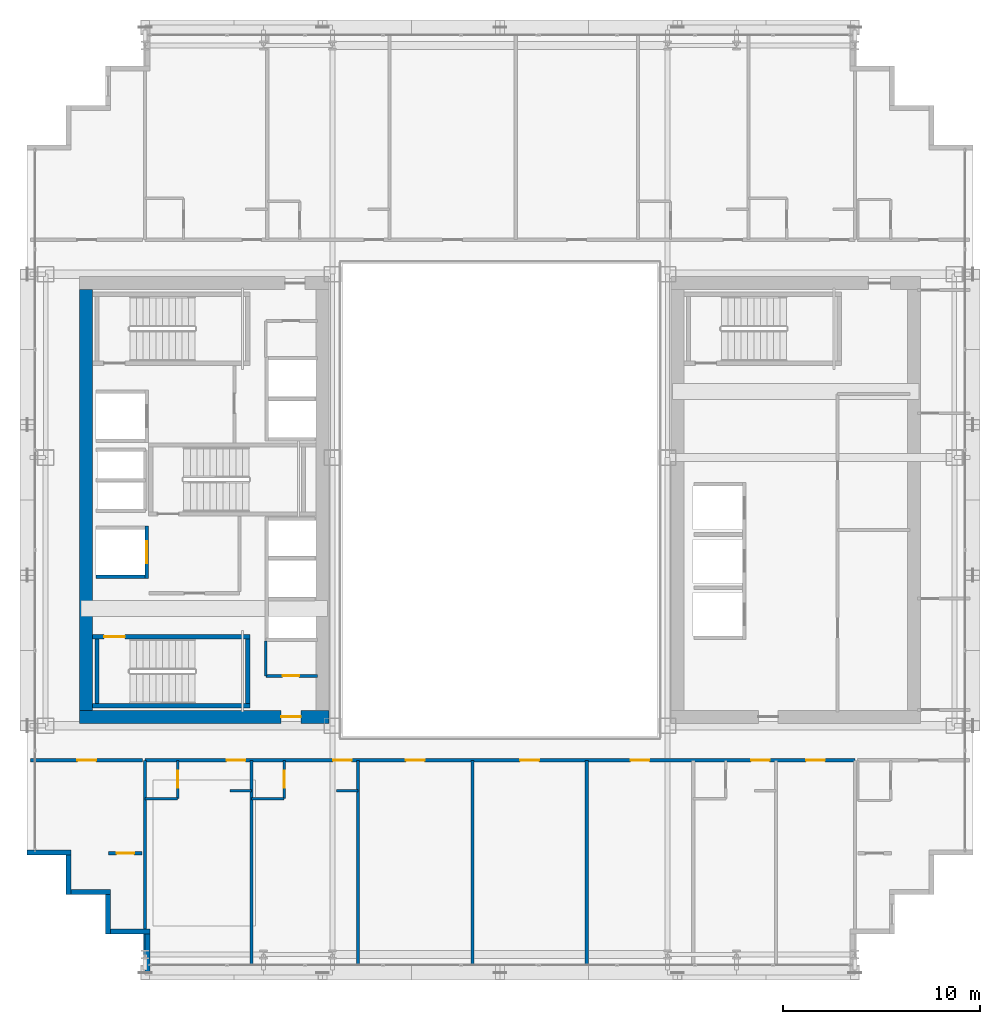
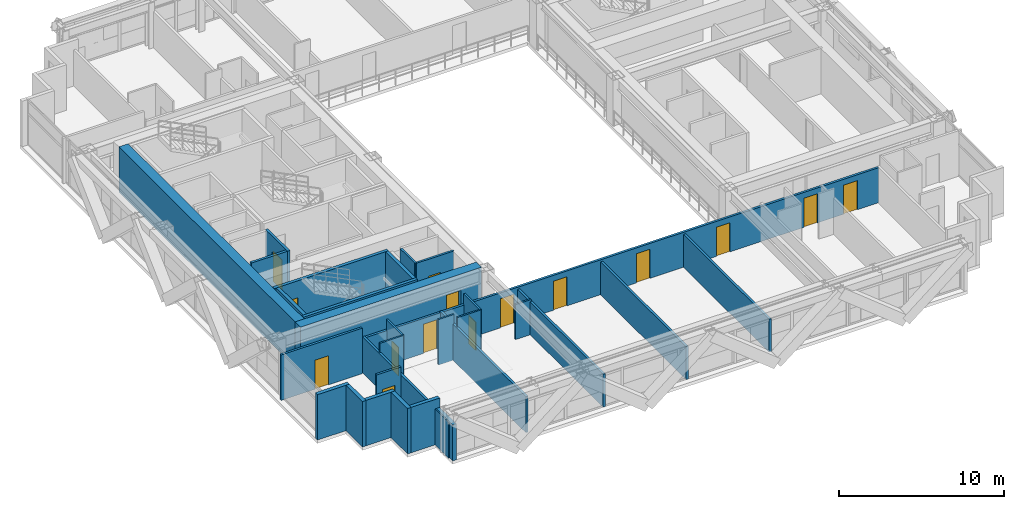
# One storey, part 27 of 35: 30 walls, 15 doors, 15 openings.
"""IFC4 building model written with IfcOpenShell, lengths in metres."""

import ifcopenshell
import ifcopenshell.guid

model = None  # the IFC model being written
_history = None  # IfcOwnerHistory: only IFC2X3 demands one
_inside = {}  # id of a spatial element -> (the spatial element, [elements in it])
_under = {}  # id of a project, library or spatial element -> (it, [spatial elements below it])
_declared = {}  # id of a project -> (the project, [libraries it declares])
_typed = {}  # id of a type object -> (the type object, [elements of that type])
_made_of = {}  # id of a material, layer set ... -> (it, [elements and type objects made of it])


def new_model(schema):
    """Start an empty IFC model of exactly this schema.

    Asked for "IFC4X3", IfcOpenShell would pick the latest addendum, in which some entities
    have other attributes; the version numbers below select the first issue.
    IFC2X3 requires an IfcOwnerHistory on every rooted entity: one is made here for all.
    """
    global model, _history
    if schema == "IFC4X3":
        model = ifcopenshell.file(schema_version=(4, 3, 0, 0))
    else:
        model = ifcopenshell.file(schema=schema)
    _inside.clear()
    _under.clear()
    _declared.clear()
    _typed.clear()
    _made_of.clear()
    _history = None
    if model.schema == "IFC2X3":
        org = make("IfcOrganization", Name="unknown")
        user = make(
            "IfcPersonAndOrganization",
            ThePerson=make("IfcPerson", FamilyName="unknown"),
            TheOrganization=org,
        )
        app = make(
            "IfcApplication",
            ApplicationDeveloper=org,
            Version="unknown",
            ApplicationFullName="unknown",
            ApplicationIdentifier="unknown",
        )
        _history = make(
            "IfcOwnerHistory",
            OwningUser=user,
            OwningApplication=app,
            ChangeAction="ADDED",
            CreationDate=0,
        )
    return model


def make(cls, **values):
    """One entity of the class cls with the attributes given. An attribute that is None is left unset."""
    return model.create_entity(
        cls, **{name: value for name, value in values.items() if value is not None}
    )


def rooted(cls, **values):
    """An entity with a GlobalId (a new one), such as an element, a storey or a relation."""
    return make(cls, GlobalId=ifcopenshell.guid.new(), OwnerHistory=_history, **values)


def si_unit(unit_type, name, prefix=None):
    """IfcSIUnit, for example si_unit("LENGTHUNIT", "METRE", prefix="MILLI")."""
    return make("IfcSIUnit", UnitType=unit_type, Prefix=prefix, Name=name)


def assignment(units):
    """IfcUnitAssignment: the units of a project."""
    return None if units is None else make("IfcUnitAssignment", Units=units)


def point(xyz):
    """IfcCartesianPoint."""
    return None if xyz is None else make("IfcCartesianPoint", Coordinates=xyz)


def direction(xyz):
    """IfcDirection."""
    return None if xyz is None else make("IfcDirection", DirectionRatios=xyz)


def frame(location, z_axis=None, x_axis=None):
    """IfcAxis2Placement3D, a coordinate frame: its origin and axes. An axis left out is left unset."""
    return make(
        "IfcAxis2Placement3D",
        Location=point(location),
        Axis=direction(z_axis),
        RefDirection=direction(x_axis),
    )


def frame_2d(location, x_axis=None):
    """IfcAxis2Placement2D, a coordinate frame in the plane: its origin and x axis."""
    return make(
        "IfcAxis2Placement2D", Location=point(location), RefDirection=direction(x_axis)
    )


def origin():
    """The frame at (0, 0, 0) with its axes left unset."""
    return frame((0.0, 0.0, 0.0))


def place(relative_to, where):
    """IfcLocalPlacement: puts the frame where relative to a parent placement (None: the world)."""
    return make(
        "IfcLocalPlacement", PlacementRelTo=relative_to, RelativePlacement=where
    )


def context(
    kind, dimensions, precision=None, world=None, true_north=None, identifier=None
):
    """IfcGeometricRepresentationContext, for example the 3D "Model" context."""
    return make(
        "IfcGeometricRepresentationContext",
        ContextIdentifier=identifier,
        ContextType=kind,
        CoordinateSpaceDimension=dimensions,
        Precision=precision,
        WorldCoordinateSystem=world,
        TrueNorth=true_north,
    )


def subcontext(parent, identifier, kind, view, scale=None):
    """IfcGeometricRepresentationSubContext, for example "Body" below "Model"."""
    return make(
        "IfcGeometricRepresentationSubContext",
        ContextIdentifier=identifier,
        ContextType=kind,
        ParentContext=parent,
        TargetScale=scale,
        TargetView=view,
    )


def project(units=None, contexts=None):
    """IfcProject with its units and contexts."""
    return rooted(
        "IfcProject",
        Name="project",
        RepresentationContexts=contexts,
        UnitsInContext=assignment(units),
    )


def spatial(cls, under=None, at=None, **own):
    """A site, building, storey or space (cls), placed at a placement, below another one or the project."""
    s = rooted(cls, ObjectPlacement=at, **own)
    if under is not None:
        _under.setdefault(under.id(), (under, []))[1].append(s)
    return s


def profile(cls, at=None, kind="AREA", **sizes):
    """A parametric profile (cls). Its sizes go by their IFC names, for example OverallWidth=200.0."""
    return make(cls, ProfileType=kind, Position=at, **sizes)


def rectangle(**sizes):
    """IfcRectangleProfileDef."""
    return profile("IfcRectangleProfileDef", **sizes)


def extrude(swept, where, along, depth):
    """IfcExtrudedAreaSolid: the profile swept, set in the frame where, extruded along a direction by depth."""
    return make(
        "IfcExtrudedAreaSolid",
        SweptArea=swept,
        Position=where,
        ExtrudedDirection=direction(along),
        Depth=depth,
    )


def shape(context_of_items, identifier, shape_type, items):
    """IfcShapeRepresentation: the items that make up one representation, for example the "Body"."""
    return make(
        "IfcShapeRepresentation",
        ContextOfItems=context_of_items,
        RepresentationIdentifier=identifier,
        RepresentationType=shape_type,
        Items=items,
    )


def source(mapping_origin, context_of_items, identifier, shape_type, items):
    """IfcRepresentationMap: a shape defined once, which mapped items show again and again."""
    return make(
        "IfcRepresentationMap",
        MappingOrigin=mapping_origin,
        MappedRepresentation=shape(context_of_items, identifier, shape_type, items),
    )


def transform(
    local_origin,
    x_axis=None,
    y_axis=None,
    z_axis=None,
    scale=None,
    scale2=None,
    scale3=None,
    uniform=True,
):
    """IfcCartesianTransformationOperator3D, or its non-uniform kind. x_axis, y_axis, z_axis: its Axis1, 2, 3."""
    if uniform:
        return make(
            "IfcCartesianTransformationOperator3D",
            Axis1=direction(x_axis),
            Axis2=direction(y_axis),
            LocalOrigin=point(local_origin),
            Scale=scale,
            Axis3=direction(z_axis),
        )
    return make(
        "IfcCartesianTransformationOperator3DnonUniform",
        Axis1=direction(x_axis),
        Axis2=direction(y_axis),
        LocalOrigin=point(local_origin),
        Scale=scale,
        Axis3=direction(z_axis),
        Scale2=scale2,
        Scale3=scale3,
    )


def mapped(mapping_source, mapping_target):
    """IfcMappedItem: shows the shape of a source again, moved by a transform."""
    return make(
        "IfcMappedItem", MappingSource=mapping_source, MappingTarget=mapping_target
    )


def material(Name=None, Category=None):
    """IfcMaterial."""
    return make("IfcMaterial", Name=Name, Category=Category)


def layer(
    of_material, thickness, ventilated=None, Name=None, Category=None, Priority=None
):
    """IfcMaterialLayer: one layer of a wall or slab, of a material (None: an air gap)."""
    return make(
        "IfcMaterialLayer",
        Material=of_material,
        LayerThickness=thickness,
        IsVentilated=ventilated,
        Name=Name,
        Category=Category,
        Priority=Priority,
    )


def layer_set(layers, Name=None):
    """IfcMaterialLayerSet."""
    return make("IfcMaterialLayerSet", MaterialLayers=layers, LayerSetName=Name)


def made_of(thing, what):
    """Note that an element or type object is made of a material, layer set ...; save() writes the relation."""
    if what is not None:
        _made_of.setdefault(what.id(), (what, []))[1].append(thing)
    return thing


def type_object(cls, material=None, **own):
    """A type object (cls), such as IfcWallType, which elements share."""
    return made_of(rooted(cls, **own), material)


def element(
    cls,
    number,
    at=None,
    inside=None,
    cuts=None,
    type_object=None,
    material=None,
    context=None,
    identifier="Body",
    shape_type=None,
    held_by="IfcProductDefinitionShape",
    body=None,
    shapes=None,
    **own,
):
    """One element of the class cls, such as IfcWall. Its Tag is "e" and its number.

    at: its placement. inside: the storey or other place that contains it. cuts: it is an
    opening in that element (IfcRelVoidsElement). A single representation is given by context,
    identifier, shape_type and body (its items); several are given by shapes. held_by: the class
    of the entity that holds the representations. save() writes the other relations.
    """
    e = rooted(cls, Tag="e%d" % number, ObjectPlacement=at, **own)
    if body is not None:
        shapes = [shape(context, identifier, shape_type, body)]
    if shapes is not None:
        e.Representation = make(held_by, Representations=shapes)
    if inside is not None:
        _inside.setdefault(inside.id(), (inside, []))[1].append(e)
    if cuts is not None:
        rooted(
            "IfcRelVoidsElement", RelatingBuildingElement=cuts, RelatedOpeningElement=e
        )
    if type_object is not None:
        _typed.setdefault(type_object.id(), (type_object, []))[1].append(e)
    return made_of(e, material)


def fill(opening, filler):
    """IfcRelFillsElement: the door or window that sits in an opening."""
    return rooted(
        "IfcRelFillsElement",
        RelatingOpeningElement=opening,
        RelatedBuildingElement=filler,
    )


def aggregate(whole, parts):
    """IfcRelAggregates: a whole, such as a stair, and the parts it consists of."""
    return rooted("IfcRelAggregates", RelatingObject=whole, RelatedObjects=parts)


def save(model, path):
    """Write the relations noted so far, then the file.

    IfcRelAggregates (storeys below a building ...), IfcRelContainedInSpatialStructure (elements
    in a storey), IfcRelDefinesByType, IfcRelAssociatesMaterial and IfcRelDeclares: one each for
    every whole, place, type object, material and project.
    """
    for whole, parts in _under.values():
        aggregate(whole, parts)
    for where, things in _inside.values():
        rooted(
            "IfcRelContainedInSpatialStructure",
            RelatedElements=things,
            RelatingStructure=where,
        )
    for kind, things in _typed.values():
        rooted("IfcRelDefinesByType", RelatedObjects=things, RelatingType=kind)
    for what, things in _made_of.values():
        rooted("IfcRelAssociatesMaterial", RelatedObjects=things, RelatingMaterial=what)
    for by, libraries in _declared.values():
        rooted("IfcRelDeclares", RelatingContext=by, RelatedDefinitions=libraries)
    model.write(path)


model = new_model("IFC4")

# Units and contexts
model_context = context("Model", 3, precision=1e-05, world=origin(), true_north=direction((0.0, 1.0)))
body_context = subcontext(model_context, "Body", "Model", "MODEL_VIEW")
ifc_project = project(units=[si_unit("LENGTHUNIT", "METRE"), si_unit("AREAUNIT", "SQUARE_METRE"), si_unit("VOLUMEUNIT", "CUBIC_METRE"), si_unit("PLANEANGLEUNIT", "RADIAN"), si_unit("MASSUNIT", "GRAM", prefix="KILO")], contexts=[model_context])

# Site, building, storey
site_placement = place(None, origin())
site = spatial("IfcSite", under=ifc_project, at=site_placement, CompositionType="ELEMENT")
building_placement = place(site_placement, origin())
building = spatial("IfcBuilding", under=site, at=building_placement, Name="Ocotamira Hotel", CompositionType="ELEMENT")
storey_placement = place(building_placement, frame((0.0, 0.0, 122.39990234375)))
storey = spatial("IfcBuildingStorey", under=building, at=storey_placement, Name="L30", CompositionType="ELEMENT", Elevation=122.39990234375)

# Wall, opening, door
ifc_material_1 = material(Name="Concrete C60/75", Category="concrete")
ifc_layer_1 = layer(ifc_material_1, 0.64990234375)
ifc_layer_set_1 = layer_set([ifc_layer_1], Name="Concrete C60/75")
wall_type_1 = type_object("IfcWallType", Name="WL-CORE-650", PredefinedType="SHEAR", material=ifc_layer_set_1)
wall_1_placement = place(storey_placement, frame((10.675048828125, 15.0, 0.0), z_axis=(0.0, 0.0, 1.0), x_axis=(1.0, 0.0, 0.0)))
wall_1 = element("IfcWall", 1, at=wall_1_placement, inside=storey, type_object=wall_type_1, Name="L30 Shear Core Wall WCORE-S", PredefinedType="SHEAR", context=body_context, shape_type="SweptSolid", body=[
    extrude(rectangle(XDim=12.64990234375, YDim=0.64990234375, at=frame_2d((6.324951171875, 0.0))), origin(), (0.0, 0.0, 1.0), 3.360107421875),
])
opening_1_placement = place(wall_1_placement, frame((10.22509765625, 0.0, 0.0)))
opening_1 = element("IfcOpeningElement", 2, at=opening_1_placement, cuts=wall_1, Name="Opening D-FR2", PredefinedType="OPENING", context=body_context, shape_type="SweptSolid", body=[
    extrude(rectangle(XDim=1.0, YDim=2.14990234375, at=frame_2d((0.5, 1.074951171875))), frame((0.0, 0.3349609375, 0.0), z_axis=(0.0, -1.0, 0.0), x_axis=(1.0, 0.0, 0.0)), (0.0, 0.0, 1.0), 0.669921875),
])
ifc_material_2 = material(Name="Fire-rated acoustic timber-veneer door", Category="wood")
door_type_1 = type_object("IfcDoorType", Name="DR-FIRE-1000", OperationType="NOTDEFINED", PredefinedType="DOOR", material=ifc_material_2)
shared_shape_1 = source(origin(), body_context, "Body", "SweptSolid", [
    extrude(rectangle(XDim=1.0, YDim=2.14990234375, at=frame_2d((0.5, 1.074951171875))), frame((0.0, 0.02490234375, 0.0), z_axis=(0.0, -1.0, 0.0), x_axis=(1.0, 0.0, 0.0)), (0.0, 0.0, 1.0), 0.050048828125),
])
door_1_placement = place(opening_1_placement, origin())
door_1 = element("IfcDoor", 3, at=door_1_placement, inside=storey, type_object=door_type_1, Name="L30 Door ID-L30-WLOB-S-D [ID-L30-WLOB-S-D]", OperationType="SINGLE_SWING_LEFT", OverallHeight=2.14990234375, OverallWidth=1.0, PredefinedType="DOOR", context=body_context, shape_type="MappedRepresentation", body=[
    mapped(shared_shape_1, transform((0.0, 0.0, 0.0), scale=1.0)),
])
fill(opening_1, door_1)

# Walls
wall_2_placement = place(storey_placement, frame((11.0, 15.324951171875, 0.0), z_axis=(0.0, 0.0, 1.0), x_axis=(0.0, 1.0, 0.0)))
element("IfcWall", 4, at=wall_2_placement, inside=storey, type_object=wall_type_1, Name="L30 Shear Core Wall WCORE-W", PredefinedType="SHEAR", context=body_context, shape_type="SweptSolid", body=[
    extrude(rectangle(XDim=21.35009765625, YDim=0.64990234375, at=frame_2d((10.675048828125, 0.0))), origin(), (0.0, 0.0, 1.0), 3.360107421875),
])
ifc_material_3 = material(Name="Precast concrete C45/55", Category="concrete")
ifc_layer_2 = layer(ifc_material_3, 0.25)
ifc_layer_set_2 = layer_set([ifc_layer_2], Name="Precast concrete C45/55")
wall_type_2 = type_object("IfcWallType", Name="WL-EXT-SER-250", PredefinedType="SOLIDWALL", material=ifc_layer_set_2)
wall_3_placement = place(storey_placement, frame((8.0, 8.125, 0.0), z_axis=(0.0, 0.0, 1.0), x_axis=(1.0, 0.0, 0.0)))
element("IfcWall", 5, at=wall_3_placement, inside=storey, type_object=wall_type_2, Name="L30 Serrated Corner Wall 19", PredefinedType="SOLIDWALL", context=body_context, shape_type="SweptSolid", body=[
    extrude(rectangle(XDim=2.25, YDim=0.25, at=frame_2d((1.125, 0.0))), origin(), (0.0, 0.0, 1.0), 3.360107421875),
])
for number, where, z_axis, x_axis, name in (
    (6, (10.125, 8.0, 0.0), (0.0, 0.0, 1.0), (0.0, -1.0, 0.0), "L30 Serrated Corner Wall 20"),
    (7, (10.25, 6.125, 0.0), (0.0, 0.0, 1.0), (1.0, 0.0, 0.0), "L30 Serrated Corner Wall 21"),
    (8, (12.125, 6.0, 0.0), (0.0, 0.0, 1.0), (0.0, -1.0, 0.0), "L30 Serrated Corner Wall 22"),
    (9, (12.25, 4.125, 0.0), (0.0, 0.0, 1.0), (1.0, 0.0, 0.0), "L30 Serrated Corner Wall 23"),
):
    element("IfcWall", number, at=place(storey_placement, frame(where, z_axis=z_axis, x_axis=x_axis)), inside=storey, type_object=wall_type_2, Name=name, PredefinedType="SOLIDWALL", context=body_context, shape_type="SweptSolid", body=[
        extrude(rectangle(XDim=2.0, YDim=0.25, at=frame_2d((1.0, 0.0))), origin(), (0.0, 0.0, 1.0), 3.360107421875),
    ])
wall_4_placement = place(storey_placement, frame((14.125, 4.0, 0.0), z_axis=(0.0, 0.0, 1.0), x_axis=(0.0, -1.0, 0.0)))
element("IfcWall", 10, at=wall_4_placement, inside=storey, type_object=wall_type_2, Name="L30 Serrated Corner Wall 24", PredefinedType="SOLIDWALL", context=body_context, shape_type="SweptSolid", body=[
    extrude(rectangle(XDim=2.0, YDim=0.25, at=frame_2d((1.0, 0.0))), origin(), (0.0, 0.0, 1.0), 2.6669921875),
])

# Wall, opening, door
ifc_material_4 = material(Name="Acoustic double-layer fire gypsum board partition", Category="gypsum")
ifc_layer_3 = layer(ifc_material_4, 0.159912109375)
ifc_layer_set_3 = layer_set([ifc_layer_3], Name="Acoustic double-layer fire gypsum board partition")
wall_type_3 = type_object("IfcWallType", Name="WL-FIRE-160", PredefinedType="PARTITIONING", material=ifc_layer_set_3)
wall_5_placement = place(storey_placement, frame((8.199951171875, 12.800048828125, 0.0), z_axis=(0.0, 0.0, 1.0), x_axis=(1.0, 0.0, 0.0)))
wall_5 = element("IfcWall", 11, at=wall_5_placement, inside=storey, type_object=wall_type_3, Name="L30 Interior Wall PW-L30-Z2C-CSW-CW", PredefinedType="PARTITIONING", context=body_context, shape_type="SweptSolid", body=[
    extrude(rectangle(XDim=5.679931640625, YDim=0.159912109375, at=frame_2d((2.83984375, 0.0))), origin(), (0.0, 0.0, 1.0), 3.360107421875),
])
opening_2_placement = place(wall_5_placement, frame((2.360107421875, 0.0, 0.0)))
opening_2 = element("IfcOpeningElement", 12, at=opening_2_placement, cuts=wall_5, Name="Opening D-SV4", PredefinedType="OPENING", context=body_context, shape_type="SweptSolid", body=[
    extrude(rectangle(XDim=0.9599609375, YDim=2.14990234375, at=frame_2d((0.47998046875, 1.074951171875))), frame((0.0, 0.08984375, 0.0), z_axis=(0.0, -1.0, 0.0), x_axis=(1.0, 0.0, 0.0)), (0.0, 0.0, 1.0), 0.179931640625),
])
ifc_material_5 = material(Name="Fire-rated accessible walnut salon door", Category="wood")
door_type_2 = type_object("IfcDoorType", Name="DR-SERV-960", OperationType="NOTDEFINED", PredefinedType="DOOR", material=ifc_material_5)
shared_shape_2 = source(origin(), body_context, "Body", "SweptSolid", [
    extrude(rectangle(XDim=0.9599609375, YDim=2.14990234375, at=frame_2d((0.47998046875, 1.074951171875))), frame((0.0, 0.02490234375, 0.0), z_axis=(0.0, -1.0, 0.0), x_axis=(1.0, 0.0, 0.0)), (0.0, 0.0, 1.0), 0.050048828125),
])
door_2_placement = place(opening_2_placement, origin())
door_2 = element("IfcDoor", 13, at=door_2_placement, inside=storey, type_object=door_type_2, Name="L30 Door ID-L30-Z2C-CSW-CD [ID-L30-Z2C-CSW-CD]", OperationType="SINGLE_SWING_LEFT", OverallHeight=2.14990234375, OverallWidth=0.9599609375, PredefinedType="DOOR", context=body_context, shape_type="MappedRepresentation", body=[
    mapped(shared_shape_2, transform((0.0, 0.0, 0.0), scale=1.0)),
])
fill(opening_2, door_2)

wall_6_placement = place(storey_placement, frame((12.14990234375, 8.080078125, 0.0), z_axis=(0.0, 0.0, 1.0), x_axis=(1.0, 0.0, 0.0)))
wall_6 = element("IfcWall", 14, at=wall_6_placement, inside=storey, type_object=wall_type_3, Name="L30 Interior Wall PW-L30-Z2C-CSW2-CW", PredefinedType="PARTITIONING", context=body_context, shape_type="SweptSolid", body=[
    extrude(rectangle(XDim=1.7001953125, YDim=0.159912109375, at=frame_2d((0.85009765625, 0.0))), origin(), (0.0, 0.0, 1.0), 3.360107421875),
])
opening_3_placement = place(wall_6_placement, frame((0.409912109375, 0.0, 0.0)))
opening_3 = element("IfcOpeningElement", 15, at=opening_3_placement, cuts=wall_6, Name="Opening D-SV2", PredefinedType="OPENING", context=body_context, shape_type="SweptSolid", body=[
    extrude(rectangle(XDim=0.8798828125, YDim=2.14990234375, at=frame_2d((0.43994140625, 1.074951171875))), frame((0.0, 0.08984375, 0.0), z_axis=(0.0, -1.0, 0.0), x_axis=(1.0, 0.0, 0.0)), (0.0, 0.0, 1.0), 0.179931640625),
])
ifc_material_6 = material(Name="Fire-rated painted steel service door", Category="steel")
door_type_3 = type_object("IfcDoorType", Name="DR-SERV-880", OperationType="NOTDEFINED", PredefinedType="DOOR", material=ifc_material_6)
shared_shape_3 = source(origin(), body_context, "Body", "SweptSolid", [
    extrude(rectangle(XDim=0.8798828125, YDim=2.14990234375, at=frame_2d((0.43994140625, 1.074951171875))), frame((0.0, 0.02490234375, 0.0), z_axis=(0.0, -1.0, 0.0), x_axis=(1.0, 0.0, 0.0)), (0.0, 0.0, 1.0), 0.050048828125),
])
door_3_placement = place(opening_3_placement, origin())
door_3 = element("IfcDoor", 16, at=door_3_placement, inside=storey, type_object=door_type_3, Name="L30 Door ID-L30-Z2C-CSW2-CD [ID-L30-Z2C-CSW2-CD]", OperationType="SINGLE_SWING_LEFT", OverallHeight=2.14990234375, OverallWidth=0.8798828125, PredefinedType="DOOR", context=body_context, shape_type="MappedRepresentation", body=[
    mapped(shared_shape_3, transform((0.0, 0.0, 0.0), scale=1.0)),
])
fill(opening_3, door_3)

# Wall, openings, doors
wall_7_placement = place(storey_placement, frame((14.0, 12.800048828125, 0.0), z_axis=(0.0, 0.0, 1.0), x_axis=(1.0, 0.0, 0.0)))
wall_7 = element("IfcWall", 17, at=wall_7_placement, inside=storey, type_object=wall_type_3, Name="L30 Interior Wall PW-L30-Z2CS-CORRW", PredefinedType="PARTITIONING", context=body_context, shape_type="SweptSolid", body=[
    extrude(rectangle(XDim=36.0, YDim=0.159912109375, at=frame_2d((18.0, 0.0))), origin(), (0.0, 0.0, 1.0), 2.5810546875),
])
opening_4_placement = place(wall_7_placement, frame((4.139892578125, 0.0, 0.0)))
opening_4 = element("IfcOpeningElement", 18, at=opening_4_placement, cuts=wall_7, Name="Opening D-GR1", PredefinedType="OPENING", context=body_context, shape_type="SweptSolid", body=[
    extrude(rectangle(XDim=0.93994140625, YDim=2.14990234375, at=frame_2d((0.469970703125, 1.074951171875))), frame((0.0, 0.08984375, 0.0), z_axis=(0.0, -1.0, 0.0), x_axis=(1.0, 0.0, 0.0)), (0.0, 0.0, 1.0), 0.179931640625),
])
opening_5_placement = place(wall_7_placement, frame((9.5400390625, 0.0, 0.0)))
opening_5 = element("IfcOpeningElement", 19, at=opening_5_placement, cuts=wall_7, Name="Opening D-GR1", PredefinedType="OPENING", context=body_context, shape_type="SweptSolid", body=[
    extrude(rectangle(XDim=0.93994140625, YDim=2.14990234375, at=frame_2d((0.469970703125, 1.074951171875))), frame((0.0, 0.08984375, 0.0), z_axis=(0.0, -1.0, 0.0), x_axis=(1.0, 0.0, 0.0)), (0.0, 0.0, 1.0), 0.179931640625),
])
opening_6_placement = place(wall_7_placement, frame((13.219970703125, 0.0, 0.0)))
opening_6 = element("IfcOpeningElement", 20, at=opening_6_placement, cuts=wall_7, Name="Opening D-SV4", PredefinedType="OPENING", context=body_context, shape_type="SweptSolid", body=[
    extrude(rectangle(XDim=0.9599609375, YDim=2.14990234375, at=frame_2d((0.47998046875, 1.074951171875))), frame((0.0, 0.08984375, 0.0), z_axis=(0.0, -1.0, 0.0), x_axis=(1.0, 0.0, 0.0)), (0.0, 0.0, 1.0), 0.179931640625),
])
opening_7_placement = place(wall_7_placement, frame((19.02001953125, 0.0, 0.0)))
opening_7 = element("IfcOpeningElement", 21, at=opening_7_placement, cuts=wall_7, Name="Opening D-SV4", PredefinedType="OPENING", context=body_context, shape_type="SweptSolid", body=[
    extrude(rectangle(XDim=0.9599609375, YDim=2.14990234375, at=frame_2d((0.47998046875, 1.074951171875))), frame((0.0, 0.08984375, 0.0), z_axis=(0.0, -1.0, 0.0), x_axis=(1.0, 0.0, 0.0)), (0.0, 0.0, 1.0), 0.179931640625),
])
opening_8_placement = place(wall_7_placement, frame((24.6201171875, 0.0, 0.0)))
opening_8 = element("IfcOpeningElement", 22, at=opening_8_placement, cuts=wall_7, Name="Opening D-SV4", PredefinedType="OPENING", context=body_context, shape_type="SweptSolid", body=[
    extrude(rectangle(XDim=0.9599609375, YDim=2.14990234375, at=frame_2d((0.47998046875, 1.074951171875))), frame((0.0, 0.08984375, 0.0), z_axis=(0.0, -1.0, 0.0), x_axis=(1.0, 0.0, 0.0)), (0.0, 0.0, 1.0), 0.179931640625),
])
opening_9_placement = place(wall_7_placement, frame((30.739990234375, 0.0, 0.0)))
opening_9 = element("IfcOpeningElement", 23, at=opening_9_placement, cuts=wall_7, Name="Opening D-GR1", PredefinedType="OPENING", context=body_context, shape_type="SweptSolid", body=[
    extrude(rectangle(XDim=0.93994140625, YDim=2.14990234375, at=frame_2d((0.469970703125, 1.074951171875))), frame((0.0, 0.08984375, 0.0), z_axis=(0.0, -1.0, 0.0), x_axis=(1.0, 0.0, 0.0)), (0.0, 0.0, 1.0), 0.179931640625),
])
opening_10_placement = place(wall_7_placement, frame((33.52001953125, 0.0, 0.0)))
opening_10 = element("IfcOpeningElement", 24, at=opening_10_placement, cuts=wall_7, Name="Opening D-SV4", PredefinedType="OPENING", context=body_context, shape_type="SweptSolid", body=[
    extrude(rectangle(XDim=0.9599609375, YDim=2.14990234375, at=frame_2d((0.47998046875, 1.074951171875))), frame((0.0, 0.08984375, 0.0), z_axis=(0.0, -1.0, 0.0), x_axis=(1.0, 0.0, 0.0)), (0.0, 0.0, 1.0), 0.179931640625),
])
door_4_placement = place(opening_6_placement, origin())
door_4 = element("IfcDoor", 25, at=door_4_placement, inside=storey, type_object=door_type_2, Name="L30 Door ID-L30-Z2CS-AMD3 [ID-L30-Z2CS-AMD3]", OperationType="SINGLE_SWING_LEFT", OverallHeight=2.14990234375, OverallWidth=0.9599609375, PredefinedType="DOOR", context=body_context, shape_type="MappedRepresentation", body=[
    mapped(shared_shape_2, transform((0.0, 0.0, 0.0), scale=1.0)),
])
fill(opening_6, door_4)
door_5_placement = place(opening_7_placement, origin())
door_5 = element("IfcDoor", 26, at=door_5_placement, inside=storey, type_object=door_type_2, Name="L30 Door ID-L30-Z2CS-AMD4 [ID-L30-Z2CS-AMD4]", OperationType="SINGLE_SWING_RIGHT", OverallHeight=2.14990234375, OverallWidth=0.9599609375, PredefinedType="DOOR", context=body_context, shape_type="MappedRepresentation", body=[
    mapped(shared_shape_2, transform((0.0, 0.0, 0.0), scale=1.0)),
])
fill(opening_7, door_5)
door_6_placement = place(opening_8_placement, origin())
door_6 = element("IfcDoor", 27, at=door_6_placement, inside=storey, type_object=door_type_2, Name="L30 Door ID-L30-Z2CS-AMD5 [ID-L30-Z2CS-AMD5]", OperationType="SINGLE_SWING_LEFT", OverallHeight=2.14990234375, OverallWidth=0.9599609375, PredefinedType="DOOR", context=body_context, shape_type="MappedRepresentation", body=[
    mapped(shared_shape_2, transform((0.0, 0.0, 0.0), scale=1.0)),
])
fill(opening_8, door_6)
door_7_placement = place(opening_10_placement, origin())
door_7 = element("IfcDoor", 28, at=door_7_placement, inside=storey, type_object=door_type_2, Name="L30 Door ID-L30-Z2CS-AMD7 [ID-L30-Z2CS-AMD7]", OperationType="SINGLE_SWING_LEFT", OverallHeight=2.14990234375, OverallWidth=0.9599609375, PredefinedType="DOOR", context=body_context, shape_type="MappedRepresentation", body=[
    mapped(shared_shape_2, transform((0.0, 0.0, 0.0), scale=1.0)),
])
fill(opening_10, door_7)
ifc_material_7 = material(Name="Solid-core walnut suite entrance fire door", Category="wood")
door_type_4 = type_object("IfcDoorType", Name="DR-GUEST-940", OperationType="NOTDEFINED", PredefinedType="DOOR", material=ifc_material_7)
shared_shape_4 = source(origin(), body_context, "Body", "SweptSolid", [
    extrude(rectangle(XDim=0.93994140625, YDim=2.14990234375, at=frame_2d((0.469970703125, 1.074951171875))), frame((0.0, 0.02490234375, 0.0), z_axis=(0.0, -1.0, 0.0), x_axis=(1.0, 0.0, 0.0)), (0.0, 0.0, 1.0), 0.050048828125),
])
door_8_placement = place(opening_4_placement, origin())
door_8 = element("IfcDoor", 29, at=door_8_placement, inside=storey, type_object=door_type_4, Name="L30 Door ID-L30-Z2CS-RMD1 [ID-L30-Z2CS-RMD1]", OperationType="SINGLE_SWING_LEFT", OverallHeight=2.14990234375, OverallWidth=0.93994140625, PredefinedType="DOOR", context=body_context, shape_type="MappedRepresentation", body=[
    mapped(shared_shape_4, transform((0.0, 0.0, 0.0), scale=1.0)),
])
fill(opening_4, door_8)
door_9_placement = place(opening_5_placement, origin())
door_9 = element("IfcDoor", 30, at=door_9_placement, inside=storey, type_object=door_type_4, Name="L30 Door ID-L30-Z2CS-RMD2 [ID-L30-Z2CS-RMD2]", OperationType="SINGLE_SWING_RIGHT", OverallHeight=2.14990234375, OverallWidth=0.93994140625, PredefinedType="DOOR", context=body_context, shape_type="MappedRepresentation", body=[
    mapped(shared_shape_4, transform((0.0, 0.0, 0.0), scale=1.0)),
])
fill(opening_5, door_9)
door_10_placement = place(opening_9_placement, origin())
door_10 = element("IfcDoor", 31, at=door_10_placement, inside=storey, type_object=door_type_4, Name="L30 Door ID-L30-Z2CS-RMD6 [ID-L30-Z2CS-RMD6]", OperationType="SINGLE_SWING_RIGHT", OverallHeight=2.14990234375, OverallWidth=0.93994140625, PredefinedType="DOOR", context=body_context, shape_type="MappedRepresentation", body=[
    mapped(shared_shape_4, transform((0.0, 0.0, 0.0), scale=1.0)),
])
fill(opening_9, door_10)

# Wall, opening, door
ifc_material_8 = material(Name="Moisture-resistant en-suite tile and gypsum partition", Category="gypsum")
ifc_layer_4 = layer(ifc_material_8, 0.1201171875)
ifc_layer_set_4 = layer_set([ifc_layer_4], Name="Moisture-resistant en-suite tile and gypsum partition")
wall_type_4 = type_object("IfcWallType", Name="WL-PART-120", PredefinedType="PARTITIONING", material=ifc_layer_set_4)
wall_8_placement = place(storey_placement, frame((15.64990234375, 10.85009765625, 0.0), z_axis=(0.0, 0.0, 1.0), x_axis=(0.0, 1.0, 0.0)))
wall_8 = element("IfcWall", 32, at=wall_8_placement, inside=storey, type_object=wall_type_4, Name="L30 Interior Wall PW-L30-Z2CS-BAE1", PredefinedType="PARTITIONING", context=body_context, shape_type="SweptSolid", body=[
    extrude(rectangle(XDim=1.949951171875, YDim=0.1201171875, at=frame_2d((0.97509765625, 0.0))), origin(), (0.0, 0.0, 1.0), 3.360107421875),
])
opening_11_placement = place(wall_8_placement, frame((0.544921875, 0.0, 0.0)))
opening_11 = element("IfcOpeningElement", 33, at=opening_11_placement, cuts=wall_8, Name="Opening D-BA1", PredefinedType="OPENING", context=body_context, shape_type="SweptSolid", body=[
    extrude(rectangle(XDim=0.860107421875, YDim=2.10009765625, at=frame_2d((0.43017578125, 1.050048828125))), frame((0.0, 0.070068359375, 0.0), z_axis=(0.0, -1.0, 0.0), x_axis=(1.0, 0.0, 0.0)), (0.0, 0.0, 1.0), 0.14013671875),
])
ifc_material_9 = material(Name="Moisture-sealed en-suite timber door", Category="wood")
door_type_5 = type_object("IfcDoorType", Name="DR-BATH-860", OperationType="NOTDEFINED", PredefinedType="DOOR", material=ifc_material_9)
shared_shape_5 = source(origin(), body_context, "Body", "SweptSolid", [
    extrude(rectangle(XDim=0.860107421875, YDim=2.10009765625, at=frame_2d((0.43017578125, 1.050048828125))), frame((0.0, 0.02490234375, 0.0), z_axis=(0.0, -1.0, 0.0), x_axis=(1.0, 0.0, 0.0)), (0.0, 0.0, 1.0), 0.050048828125),
])
door_11_placement = place(opening_11_placement, origin())
door_11 = element("IfcDoor", 34, at=door_11_placement, inside=storey, type_object=door_type_5, Name="L30 Door ID-L30-Z2CS-BAD1 [ID-L30-Z2CS-BAD1]", OperationType="SINGLE_SWING_RIGHT", OverallHeight=2.10009765625, OverallWidth=0.860107421875, PredefinedType="DOOR", context=body_context, shape_type="MappedRepresentation", body=[
    mapped(shared_shape_5, transform((0.0, 0.0, 0.0), scale=1.0)),
])
fill(opening_11, door_11)

# Walls
wall_9_placement = place(storey_placement, frame((14.0, 10.85009765625, 0.0), z_axis=(0.0, 0.0, 1.0), x_axis=(1.0, 0.0, 0.0)))
element("IfcWall", 35, at=wall_9_placement, inside=storey, type_object=wall_type_4, Name="L30 Interior Wall PW-L30-Z2CS-BAS1", PredefinedType="PARTITIONING", context=body_context, shape_type="SweptSolid", body=[
    extrude(rectangle(XDim=1.64990234375, YDim=0.1201171875, at=frame_2d((0.824951171875, 0.0))), origin(), (0.0, 0.0, 1.0), 3.360107421875),
])
wall_10_placement = place(storey_placement, frame((18.300048828125, 11.25, 0.0), z_axis=(0.0, 0.0, 1.0), x_axis=(1.0, 0.0, 0.0)))
element("IfcWall", 36, at=wall_10_placement, inside=storey, type_object=wall_type_4, Name="L30 Interior Wall PW-L30-Z2CS-DRN1", PredefinedType="PARTITIONING", context=body_context, shape_type="SweptSolid", body=[
    extrude(rectangle(XDim=1.099853515625, YDim=0.1201171875, at=frame_2d((0.5498046875, 0.0))), origin(), (0.0, 0.0, 1.0), 3.360107421875),
])

# Wall, opening, door
wall_11_placement = place(storey_placement, frame((21.050048828125, 10.85009765625, 0.0), z_axis=(0.0, 0.0, 1.0), x_axis=(0.0, 1.0, 0.0)))
wall_11 = element("IfcWall", 37, at=wall_11_placement, inside=storey, type_object=wall_type_4, Name="L30 Interior Wall PW-L30-Z2CS-BAE2", PredefinedType="PARTITIONING", context=body_context, shape_type="SweptSolid", body=[
    extrude(rectangle(XDim=1.949951171875, YDim=0.1201171875, at=frame_2d((0.97509765625, 0.0))), origin(), (0.0, 0.0, 1.0), 3.360107421875),
])
opening_12_placement = place(wall_11_placement, frame((0.544921875, 0.0, 0.0)))
opening_12 = element("IfcOpeningElement", 38, at=opening_12_placement, cuts=wall_11, Name="Opening D-BA1", PredefinedType="OPENING", context=body_context, shape_type="SweptSolid", body=[
    extrude(rectangle(XDim=0.860107421875, YDim=2.10009765625, at=frame_2d((0.43017578125, 1.050048828125))), frame((0.0, 0.070068359375, 0.0), z_axis=(0.0, -1.0, 0.0), x_axis=(1.0, 0.0, 0.0)), (0.0, 0.0, 1.0), 0.14013671875),
])
door_12_placement = place(opening_12_placement, origin())
door_12 = element("IfcDoor", 39, at=door_12_placement, inside=storey, type_object=door_type_5, Name="L30 Door ID-L30-Z2CS-BAD2 [ID-L30-Z2CS-BAD2]", OperationType="SINGLE_SWING_LEFT", OverallHeight=2.10009765625, OverallWidth=0.860107421875, PredefinedType="DOOR", context=body_context, shape_type="MappedRepresentation", body=[
    mapped(shared_shape_5, transform((0.0, 0.0, 0.0), scale=1.0)),
])
fill(opening_12, door_12)

# Walls
wall_12_placement = place(storey_placement, frame((19.39990234375, 10.85009765625, 0.0), z_axis=(0.0, 0.0, 1.0), x_axis=(1.0, 0.0, 0.0)))
element("IfcWall", 40, at=wall_12_placement, inside=storey, type_object=wall_type_4, Name="L30 Interior Wall PW-L30-Z2CS-BAS2", PredefinedType="PARTITIONING", context=body_context, shape_type="SweptSolid", body=[
    extrude(rectangle(XDim=1.650146484375, YDim=0.1201171875, at=frame_2d((0.8251953125, 0.0))), origin(), (0.0, 0.0, 1.0), 3.360107421875),
])
wall_13_placement = place(storey_placement, frame((23.699951171875, 11.25, 0.0), z_axis=(0.0, 0.0, 1.0), x_axis=(1.0, 0.0, 0.0)))
element("IfcWall", 41, at=wall_13_placement, inside=storey, type_object=wall_type_4, Name="L30 Interior Wall PW-L30-Z2CS-DRN2", PredefinedType="PARTITIONING", context=body_context, shape_type="SweptSolid", body=[
    extrude(rectangle(XDim=1.10009765625, YDim=0.1201171875, at=frame_2d((0.550048828125, 0.0))), origin(), (0.0, 0.0, 1.0), 2.5810546875),
])
ifc_material_10 = material(Name="Acoustic hospitality gypsum board partition", Category="gypsum")
ifc_layer_5 = layer(ifc_material_10, 0.14208984375)
ifc_layer_set_5 = layer_set([ifc_layer_5], Name="Acoustic hospitality gypsum board partition")
wall_type_5 = type_object("IfcWallType", Name="WL-PART-142", PredefinedType="PARTITIONING", material=ifc_layer_set_5)
wall_14_placement = place(storey_placement, frame((20.1201171875, 17.080078125, 0.0), z_axis=(0.0, 0.0, 1.0), x_axis=(0.0, 1.0, 0.0)))
element("IfcWall", 42, at=wall_14_placement, inside=storey, type_object=wall_type_5, Name="L30 Interior Wall PW-L30-WC-SE-W2", PredefinedType="PARTITIONING", context=body_context, shape_type="SweptSolid", body=[
    extrude(rectangle(XDim=1.760009765625, YDim=0.14208984375, at=frame_2d((0.8798828125, 0.0))), origin(), (0.0, 0.0, 1.0), 3.360107421875),
])

# Wall, opening, door
wall_15_placement = place(storey_placement, frame((20.1201171875, 17.080078125, 0.0), z_axis=(0.0, 0.0, 1.0), x_axis=(1.0, 0.0, 0.0)))
wall_15 = element("IfcWall", 43, at=wall_15_placement, inside=storey, type_object=wall_type_5, Name="L30 Interior Wall PW-L30-WC-SE-S2", PredefinedType="PARTITIONING", context=body_context, shape_type="SweptSolid", body=[
    extrude(rectangle(XDim=2.6298828125, YDim=0.14208984375, at=frame_2d((1.31494140625, 0.0))), origin(), (0.0, 0.0, 1.0), 3.360107421875),
])
opening_13_placement = place(wall_15_placement, frame((0.85009765625, 0.0, 0.0)))
opening_13 = element("IfcOpeningElement", 44, at=opening_13_placement, cuts=wall_15, Name="Opening D-SV1", PredefinedType="OPENING", context=body_context, shape_type="SweptSolid", body=[
    extrude(rectangle(XDim=0.840087890625, YDim=2.10009765625, at=frame_2d((0.419921875, 1.050048828125))), frame((0.0, 0.0810546875, 0.0), z_axis=(0.0, -1.0, 0.0), x_axis=(1.0, 0.0, 0.0)), (0.0, 0.0, 1.0), 0.162109375),
])
door_type_6 = type_object("IfcDoorType", Name="DR-SERV-840", OperationType="NOTDEFINED", PredefinedType="DOOR", material=ifc_material_6)
shared_shape_6 = source(origin(), body_context, "Body", "SweptSolid", [
    extrude(rectangle(XDim=0.840087890625, YDim=2.10009765625, at=frame_2d((0.419921875, 1.050048828125))), frame((0.0, 0.02490234375, 0.0), z_axis=(0.0, -1.0, 0.0), x_axis=(1.0, 0.0, 0.0)), (0.0, 0.0, 1.0), 0.050048828125),
])
door_13_placement = place(opening_13_placement, origin())
door_13 = element("IfcDoor", 45, at=door_13_placement, inside=storey, type_object=door_type_6, Name="L30 Door ID-L30-WC-SE-D2 [ID-L30-WC-SE-D2]", OperationType="SINGLE_SWING_LEFT", OverallHeight=2.10009765625, OverallWidth=0.840087890625, PredefinedType="DOOR", context=body_context, shape_type="MappedRepresentation", body=[
    mapped(shared_shape_6, transform((0.0, 0.0, 0.0), scale=1.0)),
])
fill(opening_13, door_13)

# Walls
ifc_material_11 = material(Name="Acoustic double-stud hospitality gypsum partition", Category="gypsum")
ifc_layer_6 = layer(ifc_material_11, 0.159912109375)
ifc_layer_set_6 = layer_set([ifc_layer_6], Name="Acoustic double-stud hospitality gypsum partition")
wall_type_6 = type_object("IfcWallType", Name="WL-PART-160", PredefinedType="PARTITIONING", material=ifc_layer_set_6)
for number, where, z_axis, x_axis, name in (
    (46, (14.0, 2.360107421875, 0.0), (0.0, 0.0, 1.0), (0.0, 1.0, 0.0), "L30 Interior Wall PW-L30-Z2CS-PW0"),
    (47, (19.39990234375, 2.360107421875, 0.0), (0.0, 0.0, 1.0), (0.0, 1.0, 0.0), "L30 Interior Wall PW-L30-Z2CS-PW1"),
):
    element("IfcWall", number, at=place(storey_placement, frame(where, z_axis=z_axis, x_axis=x_axis)), inside=storey, type_object=wall_type_6, Name=name, PredefinedType="PARTITIONING", context=body_context, shape_type="SweptSolid", body=[
        extrude(rectangle(XDim=10.43994140625, YDim=0.159912109375, at=frame_2d((5.219970703125, 0.0))), origin(), (0.0, 0.0, 1.0), 2.6669921875),
    ])
for number, where, z_axis, x_axis, name in (
    (48, (24.800048828125, 2.360107421875, 0.0), (0.0, 0.0, 1.0), (0.0, 1.0, 0.0), "L30 Interior Wall PW-L30-Z2CS-PW2"),
    (49, (30.60009765625, 2.360107421875, 0.0), (0.0, 0.0, 1.0), (0.0, 1.0, 0.0), "L30 Interior Wall PW-L30-Z2CS-PW3"),
    (50, (36.39990234375, 2.360107421875, 0.0), (0.0, 0.0, 1.0), (0.0, 1.0, 0.0), "L30 Interior Wall PW-L30-Z2CS-PW4"),
):
    element("IfcWall", number, at=place(storey_placement, frame(where, z_axis=z_axis, x_axis=x_axis)), inside=storey, type_object=wall_type_6, Name=name, PredefinedType="PARTITIONING", context=body_context, shape_type="SweptSolid", body=[
        extrude(rectangle(XDim=10.43994140625, YDim=0.159912109375, at=frame_2d((5.219970703125, 0.0))), origin(), (0.0, 0.0, 1.0), 2.43310546875),
    ])
ifc_material_12 = material(Name="Fire-rated gypsum shaftliner board assembly", Category="gypsum")
ifc_layer_7 = layer(ifc_material_12, 0.179931640625)
ifc_layer_set_7 = layer_set([ifc_layer_7], Name="Fire-rated gypsum shaftliner board assembly")
wall_type_7 = type_object("IfcWallType", Name="WL-SHAFT-180", PredefinedType="SOLIDWALL", material=ifc_layer_set_7)
wall_16_placement = place(storey_placement, frame((11.5, 22.110107421875, 0.0), z_axis=(0.0, 0.0, 1.0), x_axis=(1.0, 0.0, 0.0)))
element("IfcWall", 51, at=wall_16_placement, inside=storey, type_object=wall_type_7, Name="L30 Interior Wall PW-L30-LFW-LF-FSAE1-S", PredefinedType="SOLIDWALL", context=body_context, shape_type="SweptSolid", body=[
    extrude(rectangle(XDim=2.5, YDim=0.179931640625, at=frame_2d((1.25, 0.0))), origin(), (0.0, 0.0, 1.0), 3.360107421875),
])

# Wall, opening, door
wall_17_placement = place(storey_placement, frame((14.090087890625, 22.02001953125, 0.0), z_axis=(0.0, 0.0, 1.0), x_axis=(0.0, 1.0, 0.0)))
wall_17 = element("IfcWall", 52, at=wall_17_placement, inside=storey, type_object=wall_type_7, Name="L30 Interior Wall PW-L30-LFW-LF-FSAE1-E", PredefinedType="SOLIDWALL", context=body_context, shape_type="SweptSolid", body=[
    extrude(rectangle(XDim=2.659912109375, YDim=0.179931640625, at=frame_2d((1.330078125, 0.0))), origin(), (0.0, 0.0, 1.0), 3.360107421875),
])
opening_14_placement = place(wall_17_placement, frame((0.780029296875, 0.0, 0.0)))
opening_14 = element("IfcOpeningElement", 53, at=opening_14_placement, cuts=wall_17, Name="Opening LD-LF-FSAE1", PredefinedType="OPENING", context=body_context, shape_type="SweptSolid", body=[
    extrude(rectangle(XDim=1.10009765625, YDim=2.199951171875, at=frame_2d((0.550048828125, 1.10009765625))), frame((0.0, 0.10009765625, 0.0), z_axis=(0.0, -1.0, 0.0), x_axis=(1.0, 0.0, 0.0)), (0.0, 0.0, 1.0), 0.199951171875),
])
ifc_material_13 = material(Name="Brushed pale-metal stainless elevator landing door", Category="steel")
door_type_7 = type_object("IfcDoorType", Name="DR-LIFT-1100", OperationType="NOTDEFINED", PredefinedType="DOOR", material=ifc_material_13)
shared_shape_7 = source(origin(), body_context, "Body", "SweptSolid", [
    extrude(rectangle(XDim=1.10009765625, YDim=2.199951171875, at=frame_2d((0.550048828125, 1.10009765625))), frame((0.0, 0.02490234375, 0.0), z_axis=(0.0, -1.0, 0.0), x_axis=(1.0, 0.0, 0.0)), (0.0, 0.0, 1.0), 0.050048828125),
])
door_14_placement = place(opening_14_placement, origin())
door_14 = element("IfcDoor", 54, at=door_14_placement, inside=storey, type_object=door_type_7, Name="L30 Landing Door LD-LF-FSAE1 [ID-L30-LD-LF-FSAE1]", OperationType="DOUBLE_DOOR_SLIDING", OverallHeight=2.199951171875, OverallWidth=1.10009765625, PredefinedType="DOOR", context=body_context, shape_type="MappedRepresentation", body=[
    mapped(shared_shape_7, transform((0.0, 0.0, 0.0), scale=1.0)),
])
fill(opening_14, door_14)

# Wall
ifc_material_14 = material(Name="Concrete C50/60", Category="concrete")
ifc_layer_8 = layer(ifc_material_14, 0.219970703125)
ifc_layer_set_8 = layer_set([ifc_layer_8], Name="Concrete C50/60")
wall_type_8 = type_object("IfcWallType", Name="WL-STAIR-220", PredefinedType="SHEAR", material=ifc_layer_set_8)
wall_18_placement = place(storey_placement, frame((11.324951171875, 15.56005859375, 0.0), z_axis=(0.0, 0.0, 1.0), x_axis=(1.0, 0.0, 0.0)))
element("IfcWall", 55, at=wall_18_placement, inside=storey, type_object=wall_type_8, Name="L30 Stair Shaft Structural Wall ST-1-S", PredefinedType="SHEAR", context=body_context, shape_type="SweptSolid", body=[
    extrude(rectangle(XDim=7.985107421875, YDim=0.219970703125, at=frame_2d((3.99267578125, 0.0))), origin(), (0.0, 0.0, 1.0), 3.400146484375),
])

# Wall, opening, door
wall_19_placement = place(storey_placement, frame((11.324951171875, 19.06005859375, 0.0), z_axis=(0.0, 0.0, 1.0), x_axis=(1.0, 0.0, 0.0)))
wall_19 = element("IfcWall", 56, at=wall_19_placement, inside=storey, type_object=wall_type_8, Name="L30 Stair Shaft Structural Wall ST-1-N", PredefinedType="SHEAR", context=body_context, shape_type="SweptSolid", body=[
    extrude(rectangle(XDim=7.985107421875, YDim=0.219970703125, at=frame_2d((3.99267578125, 0.0))), origin(), (0.0, 0.0, 1.0), 3.400146484375),
])
opening_15_placement = place(wall_19_placement, frame((0.594970703125, 0.0, 0.0)))
opening_15 = element("IfcOpeningElement", 57, at=opening_15_placement, cuts=wall_19, Name="Opening D-ST2", PredefinedType="OPENING", context=body_context, shape_type="SweptSolid", body=[
    extrude(rectangle(XDim=1.050048828125, YDim=2.14990234375, at=frame_2d((0.52490234375, 1.074951171875))), frame((0.0, 0.1201171875, 0.0), z_axis=(0.0, -1.0, 0.0), x_axis=(1.0, 0.0, 0.0)), (0.0, 0.0, 1.0), 0.239990234375),
])
ifc_material_15 = material(Name="Insulated painted hollow-metal fire exit door", Category="steel")
door_type_8 = type_object("IfcDoorType", Name="DR-STAIR-1050", OperationType="NOTDEFINED", PredefinedType="DOOR", material=ifc_material_15)
shared_shape_8 = source(origin(), body_context, "Body", "SweptSolid", [
    extrude(rectangle(XDim=1.050048828125, YDim=2.14990234375, at=frame_2d((0.52490234375, 1.074951171875))), frame((0.0, 0.02490234375, 0.0), z_axis=(0.0, -1.0, 0.0), x_axis=(1.0, 0.0, 0.0)), (0.0, 0.0, 1.0), 0.050048828125),
])
door_15_placement = place(opening_15_placement, origin())
door_15 = element("IfcDoor", 58, at=door_15_placement, inside=storey, type_object=door_type_8, Name="L30 Door ID-L30-STD-ST-1 [ID-L30-STD-ST-1]", OperationType="SINGLE_SWING_LEFT", OverallHeight=2.14990234375, OverallWidth=1.050048828125, PredefinedType="DOOR", context=body_context, shape_type="MappedRepresentation", body=[
    mapped(shared_shape_8, transform((0.0, 0.0, 0.0), scale=1.0)),
])
fill(opening_15, door_15)

# Walls
for number, where, z_axis, x_axis, name in (
    (59, (11.56005859375, 15.669921875, 0.0), (0.0, 0.0, 1.0), (0.0, 1.0, 0.0), "L30 Stair Shaft Structural Wall ST-1-W"),
    (60, (19.199951171875, 15.669921875, 0.0), (0.0, 0.0, 1.0), (0.0, 1.0, 0.0), "L30 Stair Shaft Structural Wall ST-1-E"),
):
    element("IfcWall", number, at=place(storey_placement, frame(where, z_axis=z_axis, x_axis=x_axis)), inside=storey, type_object=wall_type_8, Name=name, PredefinedType="SHEAR", context=body_context, shape_type="SweptSolid", body=[
        extrude(rectangle(XDim=3.280029296875, YDim=0.219970703125, at=frame_2d((1.64013671875, 0.0))), origin(), (0.0, 0.0, 1.0), 3.400146484375),
    ])

save(model, "model.ifc")
